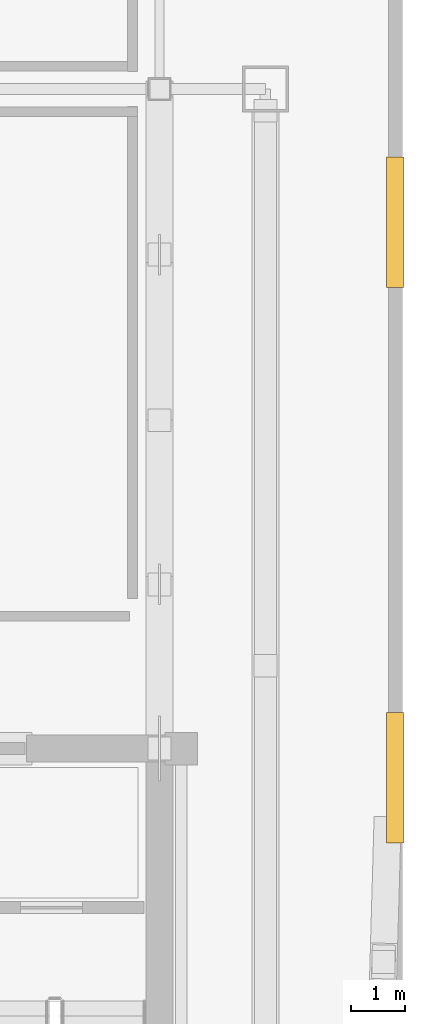
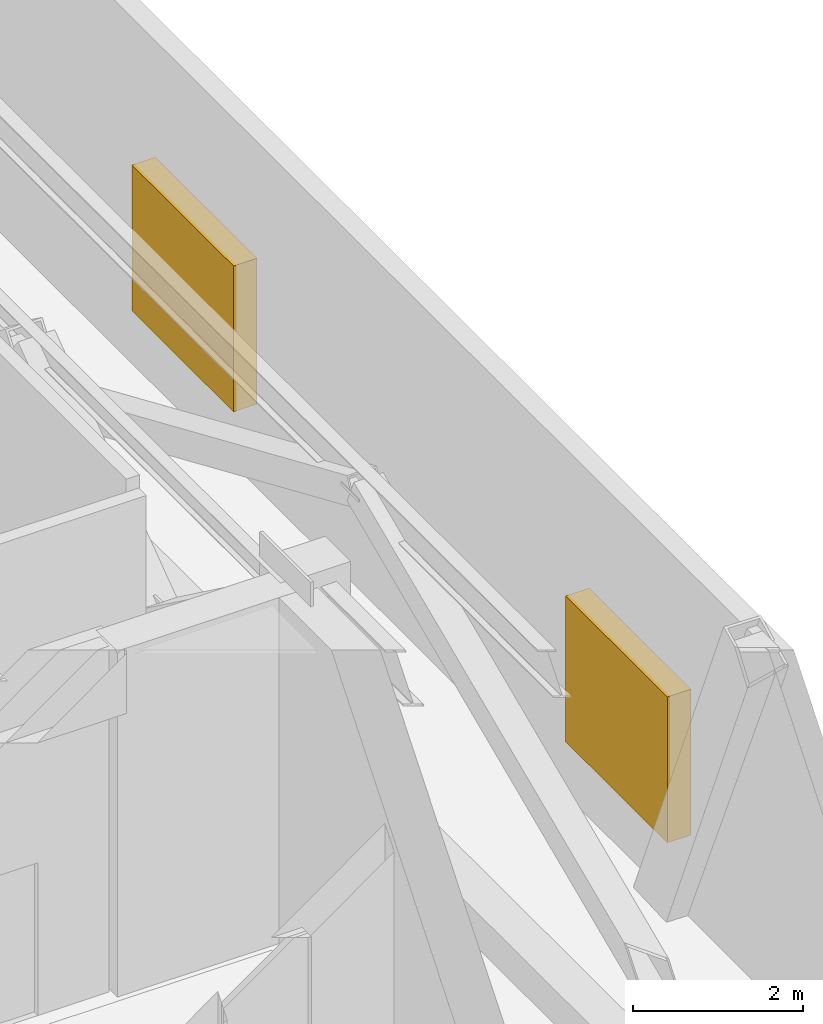
# One storey, part 7 of 7: 2 shading devices.
"""IFC4 building model written with IfcOpenShell, lengths in metres."""

from ifc_helpers import new_model, si_unit, direction, frame, origin, origin_2d, place, context, subcontext, project, spatial, rectangle, extrude, material, type_object, element, save


model = new_model("IFC4")

# Units and contexts
model_context = context("Model", 3, precision=1e-05, world=origin(), true_north=direction((0.0, 1.0)))
body_context = subcontext(model_context, "Body", "Model", "MODEL_VIEW")
ifc_project = project(units=[si_unit("LENGTHUNIT", "METRE"), si_unit("AREAUNIT", "SQUARE_METRE"), si_unit("VOLUMEUNIT", "CUBIC_METRE"), si_unit("PLANEANGLEUNIT", "RADIAN"), si_unit("MASSUNIT", "GRAM", prefix="KILO")], contexts=[model_context])

# Site, building, storey
site_placement = place(None, origin())
site = spatial("IfcSite", under=ifc_project, at=site_placement, CompositionType="ELEMENT")
building_placement = place(site_placement, origin())
building = spatial("IfcBuilding", under=site, at=building_placement, Name="Ventersveld Concourse Tower", CompositionType="ELEMENT")
storey_placement = place(building_placement, frame((0.0, 0.0, 332.300048828125)))
storey = spatial("IfcBuildingStorey", under=building, at=storey_placement, Name="L82", CompositionType="ELEMENT", Elevation=332.300048828125)

# Shading devices
ifc_material = material(Name="Anodised aluminium EN AW-6063-T6", Category="aluminium")
shading_device_type = type_object("IfcShadingDeviceType", Name="SHD-LOUVRE-300", PredefinedType="JALOUSIE", material=ifc_material)
for number, where, z_axis, x_axis, name in (
    (1, (48.0927734375, 10.913818359375, 0.7998046875), (0.0, 0.0, 1.0), (0.0, 1.0, 0.0), "L82 Mechanical Plant Louvre E1"),
    (2, (48.0927734375, 21.1455078125, 0.7998046875), (0.0, 0.0, 1.0), (0.0, 1.0, 0.0), "L82 Mechanical Plant Louvre E2"),
):
    element("IfcShadingDevice", number, at=place(storey_placement, frame(where, z_axis=z_axis, x_axis=x_axis)), inside=storey, type_object=shading_device_type, Name=name, PredefinedType="JALOUSIE", context=body_context, shape_type="SweptSolid", body=[
        extrude(rectangle(XDim=2.39990234375, YDim=0.320068359375, at=origin_2d()), origin(), (0.0, 0.0, 1.0), 2.10009765625),
    ])

save(model, "model.ifc")
